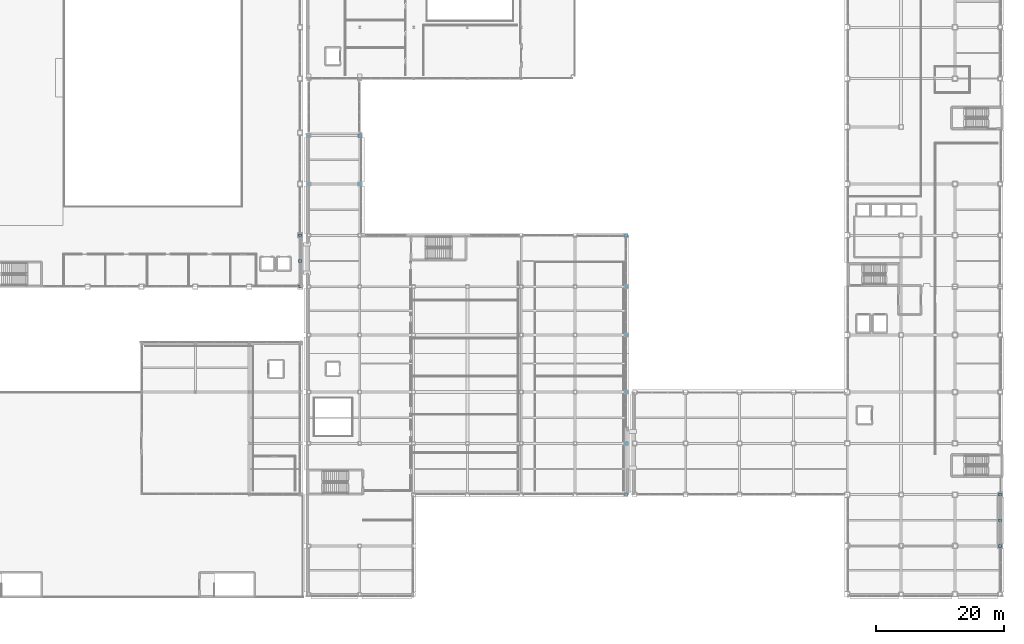
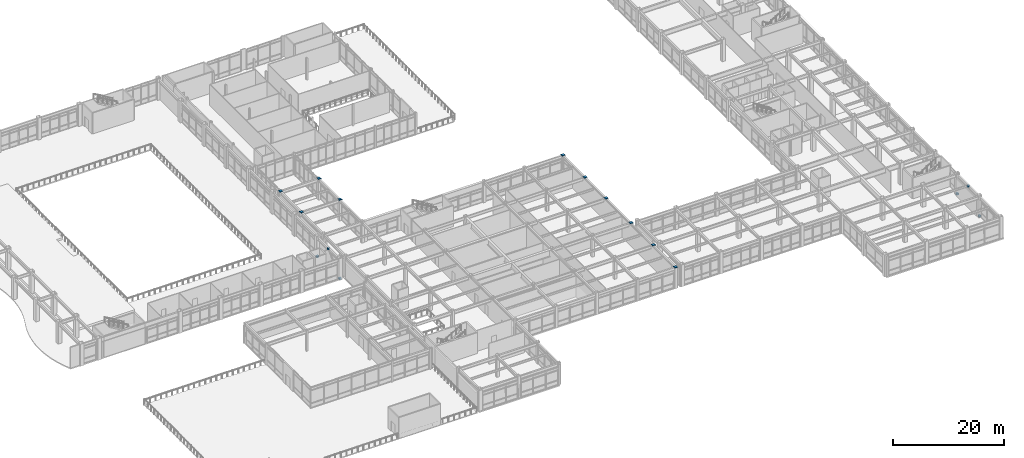
# One storey, part 139 of 154: 16 discrete accessories.
"""IFC4 building model written with IfcOpenShell, lengths in metres."""

from ifc_helpers import new_model, si_unit, direction, frame, origin, origin_2d, place, context, subcontext, project, spatial, rectangle, extrude, material, layer, layer_set, type_object, element, save


model = new_model("IFC4")

# Units and contexts
model_context = context("Model", 3, precision=1e-05, world=origin(), true_north=direction((0.0, 1.0)))
body_context = subcontext(model_context, "Body", "Model", "MODEL_VIEW")
ifc_project = project(units=[si_unit("LENGTHUNIT", "METRE"), si_unit("AREAUNIT", "SQUARE_METRE"), si_unit("VOLUMEUNIT", "CUBIC_METRE"), si_unit("PLANEANGLEUNIT", "RADIAN"), si_unit("MASSUNIT", "GRAM", prefix="KILO")], contexts=[model_context])

# Site, building, storey
site_placement = place(None, origin())
site = spatial("IfcSite", under=ifc_project, at=site_placement, CompositionType="ELEMENT")
building_placement = place(site_placement, origin())
building = spatial("IfcBuilding", under=site, at=building_placement, Name="Kazehara Bluff Congress Hotel", CompositionType="ELEMENT")
storey_placement = place(building_placement, frame((0.0, 0.0, 10.199951171875)))
storey = spatial("IfcBuildingStorey", under=building, at=storey_placement, Name="L02", CompositionType="ELEMENT", Elevation=10.199951171875)

# Discrete accessories
ifc_material_1 = material(Name="Steel SN490B", Category="steel")
ifc_layer_1 = layer(ifc_material_1, 0.06005859375)
ifc_layer_set_1 = layer_set([ifc_layer_1], Name="Steel SN490B")
discrete_accessory_type_1 = type_object("IfcDiscreteAccessoryType", Name="TP-CAP-BLK", PredefinedType="BRACKET", material=ifc_layer_set_1)
for number, where, z_axis, x_axis, name in (
    (1, (59.699951171875, 64.449951171875, 4.530029296875), (0.0, 0.0, 1.0), (1.0, 0.0, 0.0), "Hollow column welded cap plate L02 833"),
    (2, (59.699951171875, 72.0, 4.530029296875), (0.0, 0.0, 1.0), (1.0, 0.0, 0.0), "Hollow column welded cap plate L02 834"),
    (3, (67.64990234375, 64.449951171875, 4.530029296875), (0.0, 0.0, 1.0), (1.0, 0.0, 0.0), "Hollow column welded cap plate L02 847"),
    (4, (67.64990234375, 72.0, 4.530029296875), (0.0, 0.0, 1.0), (1.0, 0.0, 0.0), "Hollow column welded cap plate L02 848"),
    (5, (109.199951171875, 16.0, 4.530029296875), (0.0, 0.0, 1.0), (1.0, 0.0, 0.0), "Hollow column welded cap plate L02 891"),
    (6, (109.199951171875, 24.0, 4.530029296875), (0.0, 0.0, 1.0), (1.0, 0.0, 0.0), "Hollow column welded cap plate L02 892"),
    (7, (109.199951171875, 32.0, 4.530029296875), (0.0, 0.0, 1.0), (1.0, 0.0, 0.0), "Hollow column welded cap plate L02 893"),
    (8, (109.199951171875, 40.89990234375, 4.530029296875), (0.0, 0.0, 1.0), (1.0, 0.0, 0.0), "Hollow column welded cap plate L02 894"),
    (9, (109.199951171875, 48.449951171875, 4.530029296875), (0.0, 0.0, 1.0), (1.0, 0.0, 0.0), "Hollow column welded cap plate L02 895"),
    (10, (109.199951171875, 56.449951171875, 4.530029296875), (0.0, 0.0, 1.0), (1.0, 0.0, 0.0), "Hollow column welded cap plate L02 896"),
):
    element("IfcDiscreteAccessory", number, at=place(storey_placement, frame(where, z_axis=z_axis, x_axis=x_axis)), inside=storey, type_object=discrete_accessory_type_1, Name=name, PredefinedType="BRACKET", context=body_context, shape_type="SweptSolid", body=[
        extrude(rectangle(XDim=0.590087890625, YDim=0.590087890625, at=origin_2d()), origin(), (0.0, 0.0, 1.0), 0.06005859375),
    ])
ifc_material_2 = material(Name="Steel SN490B", Category="steel")
ifc_layer_2 = layer(ifc_material_2, 0.360107421875)
ifc_layer_set_2 = layer_set([ifc_layer_2], Name="Steel SN490B")
discrete_accessory_type_2 = type_object("IfcDiscreteAccessoryType", Name="TP-CAP-BRN", PredefinedType="BRACKET", material=ifc_layer_set_2)
for number, where, z_axis, x_axis, name in (
    (11, (167.550048828125, 12.0, 4.10498046875), (0.0, 0.0, 1.0), (1.0, 0.0, 0.0), "Chevron apex node L02 3"),
    (12, (167.550048828125, 8.0, -0.02978515625), (0.0, 0.0, 1.0), (1.0, 0.0, 0.0), "Chevron foot node L02 3A"),
    (13, (167.550048828125, 16.0, -0.02978515625), (0.0, 0.0, 1.0), (1.0, 0.0, 0.0), "Chevron foot node L02 3B"),
    (14, (58.35009765625, 52.449951171875, 4.10498046875), (0.0, 0.0, 1.0), (1.0, 0.0, 0.0), "Chevron apex node L02 9"),
    (15, (58.35009765625, 48.449951171875, -0.02978515625), (0.0, 0.0, 1.0), (1.0, 0.0, 0.0), "Chevron foot node L02 9A"),
    (16, (58.35009765625, 56.449951171875, -0.02978515625), (0.0, 0.0, 1.0), (1.0, 0.0, 0.0), "Chevron foot node L02 9B"),
):
    element("IfcDiscreteAccessory", number, at=place(storey_placement, frame(where, z_axis=z_axis, x_axis=x_axis)), inside=storey, type_object=discrete_accessory_type_2, Name=name, PredefinedType="BRACKET", context=body_context, shape_type="SweptSolid", body=[
        extrude(rectangle(XDim=0.43994140625, YDim=0.43994140625, at=origin_2d()), origin(), (0.0, 0.0, 1.0), 0.360107421875),
    ])

save(model, "model.ifc")
